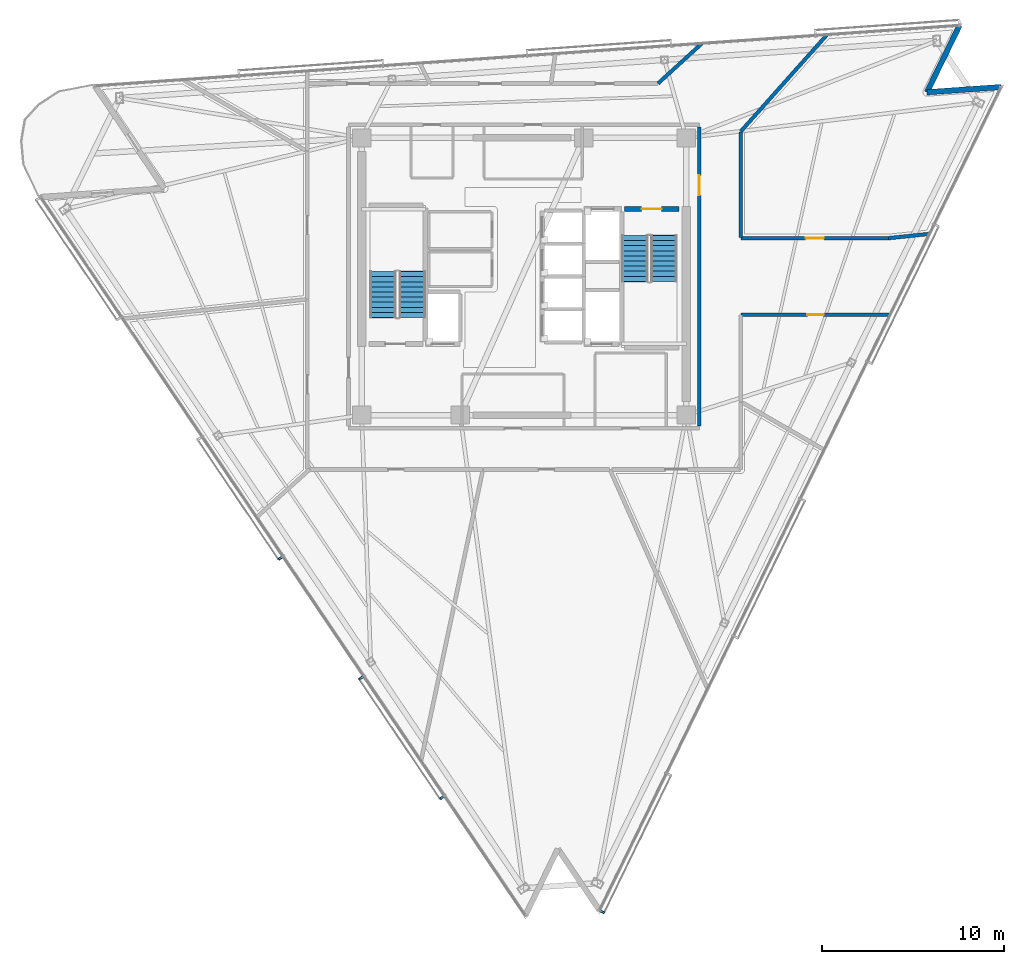
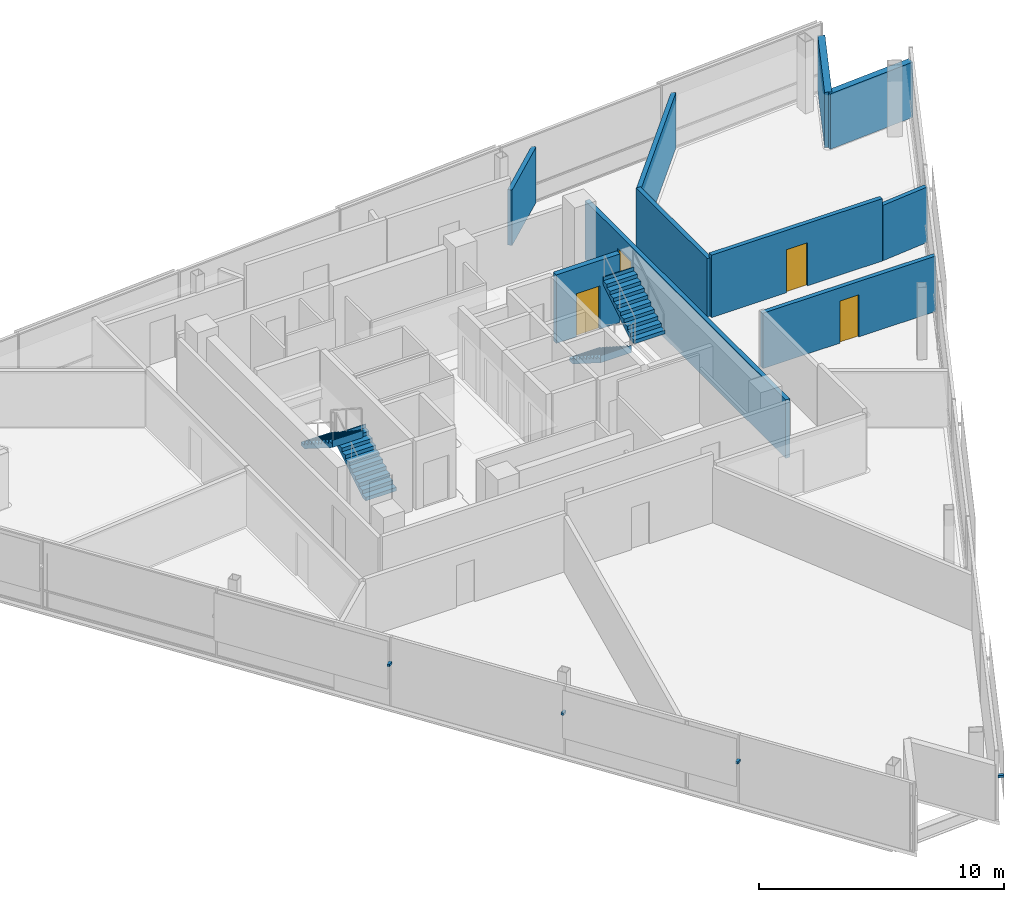
# One storey, part 11 of 16: 10 walls, 4 discrete accessories, 4 doors, 4 stair flights, 4 openings, 2 elements without a shape of their own.
"""IFC4 building model written with IfcOpenShell, lengths in metres."""

from ifc_helpers import new_model, si_unit, direction, frame, frame_2d, origin, origin_2d, place, context, subcontext, project, spatial, polyline, rectangle, outline, extrude, material, layer, layer_set, type_object, element, fill, aggregate, save


model = new_model("IFC4")

# Units and contexts
model_context = context("Model", 3, precision=1e-05, world=origin(), true_north=direction((0.0, 1.0)))
body_context = subcontext(model_context, "Body", "Model", "MODEL_VIEW")
ifc_project = project(units=[si_unit("LENGTHUNIT", "METRE"), si_unit("AREAUNIT", "SQUARE_METRE"), si_unit("VOLUMEUNIT", "CUBIC_METRE"), si_unit("PLANEANGLEUNIT", "RADIAN"), si_unit("MASSUNIT", "GRAM", prefix="KILO")], contexts=[model_context])

# Site, building, storey
site_placement = place(None, origin())
site = spatial("IfcSite", under=ifc_project, at=site_placement, CompositionType="ELEMENT")
building_placement = place(site_placement, origin())
building = spatial("IfcBuilding", under=site, at=building_placement, Name="Tharavind Bronze Gate", CompositionType="ELEMENT")
storey_placement = place(building_placement, frame((0.0, 0.0, 260.60009765625)))
storey = spatial("IfcBuildingStorey", under=building, at=storey_placement, Name="L67", CompositionType="ELEMENT", Elevation=260.60009765625)

# Walls
ifc_material_1 = material(Name="Concrete C40/50", Category="concrete")
ifc_layer_1 = layer(ifc_material_1, 0.300048828125)
ifc_layer_set_1 = layer_set([ifc_layer_1], Name="Concrete C40/50")
wall_type_1 = type_object("IfcWallType", Name="EXTERIOR SPANDREL WALL 300", PredefinedType="STANDARD", material=ifc_layer_set_1)
for number, where, z_axis, x_axis, name in (
    (1, (26.1552734375, 10.388427734375, 0.0), (0.0, 0.0, 1.0), (-0.997565400947, -0.06973715533, 0.0), "L67 notch cheek wall 3A"),
    (2, (22.09716796875, 10.104736328125, 0.0), (0.0, 0.0, 1.0), (0.438405895792, 0.898777097246, 0.0), "L67 notch cheek wall 3B"),
):
    element("IfcWall", number, at=place(storey_placement, frame(where, z_axis=z_axis, x_axis=x_axis)), inside=storey, type_object=wall_type_1, Name=name, PredefinedType="STANDARD", context=body_context, shape_type="SweptSolid", body=[
        extrude(rectangle(XDim=4.068115234375, YDim=0.300048828125, at=frame_2d((2.0341796875, 0.0))), origin(), (0.0, 0.0, 1.0), 2.764892578125),
    ])

# Wall, opening, door
ifc_material_2 = material(Name="Aerated Concrete Block", Category="concrete")
ifc_layer_2 = layer(ifc_material_2, 0.199951171875)
ifc_layer_set_2 = layer_set([ifc_layer_2], Name="Aerated Concrete Block")
wall_type_2 = type_object("IfcWallType", Name="FIRE RATED PARTITION 200", PredefinedType="PARTITIONING", material=ifc_layer_set_2)
wall_1_placement = place(storey_placement, frame((9.6201171875, -8.199951171875, 0.0), z_axis=(0.0, 0.0, 1.0), x_axis=(0.0, 1.0, 0.0)))
wall_1 = element("IfcWall", 3, at=wall_1_placement, inside=storey, type_object=wall_type_2, Name="L67 east core corridor wall", PredefinedType="PARTITIONING", context=body_context, shape_type="SweptSolid", body=[
    extrude(rectangle(XDim=16.39990234375, YDim=0.199951171875, at=frame_2d((8.199951171875, 0.0))), origin(), (0.0, 0.0, 1.0), 2.914794921875),
])
opening_1_placement = place(wall_1_placement, frame((12.64990234375, 0.0, 0.0)))
opening_1 = element("IfcOpeningElement", 4, at=opening_1_placement, cuts=wall_1, Name="Opening ID01", PredefinedType="OPENING", context=body_context, shape_type="SweptSolid", body=[
    extrude(rectangle(XDim=1.10009765625, YDim=2.14990234375, at=frame_2d((0.550048828125, 1.074951171875))), frame((0.0, 0.11009765625, 0.0), z_axis=(0.0, -1.0, 0.0), x_axis=(1.0, 0.0, 0.0)), (0.0, 0.0, 1.0), 0.219951171875),
])
ifc_material_3 = material(Name="Fire-Rated Steel", Category="steel")
door_type_1 = type_object("IfcDoorType", Name="STAIR CORE FIRE DOOR 1100X2150", OperationType="SINGLE_SWING_LEFT", PredefinedType="DOOR", material=ifc_material_3)
door_1_placement = place(opening_1_placement, frame((1.10009765625, 0.0, 0.0), z_axis=(0.0, 0.0, 1.0), x_axis=(-1.0, 0.0, 0.0)))
door_1 = element("IfcDoor", 5, at=door_1_placement, inside=storey, type_object=door_type_1, Name="L67 north east stair lobby fire door", OperationType="SINGLE_SWING_LEFT", OverallHeight=2.14990234375, OverallWidth=1.10009765625, PredefinedType="DOOR", context=body_context, shape_type="SweptSolid", body=[
    extrude(rectangle(XDim=1.10009765625, YDim=2.14990234375, at=frame_2d((0.550048828125, 1.074951171875))), frame((0.0, 0.02490234375, 0.0), z_axis=(0.0, -1.0, 0.0), x_axis=(1.0, 0.0, 0.0)), (0.0, 0.0, 1.0), 0.050048828125),
])
fill(opening_1, door_1)

# Wall
wall_2_placement = place(storey_placement, frame((22.214111328125, 2.334716796875, 0.0), z_axis=(0.0, 0.0, 1.0), x_axis=(-0.994523910136, -0.104509292252, 0.0)))
element("IfcWall", 6, at=wall_2_placement, inside=storey, type_object=wall_type_2, Name="L67 Chairman Corner Office partition", PredefinedType="PARTITIONING", context=body_context, shape_type="SweptSolid", body=[
    extrude(rectangle(XDim=2.244873046875, YDim=0.199951171875, at=frame_2d((1.12255859375, 0.0))), origin(), (0.0, 0.0, 1.0), 2.764892578125),
])

# Wall, opening, door
wall_3_placement = place(storey_placement, frame((19.97900390625, 2.10009765625, 0.0), z_axis=(0.0, 0.0, 1.0), x_axis=(-1.0, 0.0, 0.0)))
wall_3 = element("IfcWall", 7, at=wall_3_placement, inside=storey, type_object=wall_type_2, Name="L67 Chairman Corner Office partition", PredefinedType="PARTITIONING", context=body_context, shape_type="SweptSolid", body=[
    extrude(rectangle(XDim=8.073974609375, YDim=0.199951171875, at=frame_2d((4.037109375, 0.0))), origin(), (0.0, 0.0, 1.0), 3.114990234375),
])
opening_2_placement = place(wall_3_placement, frame((3.537109375, 0.0, 0.0)))
opening_2 = element("IfcOpeningElement", 8, at=opening_2_placement, cuts=wall_3, Name="Opening ID04", PredefinedType="OPENING", context=body_context, shape_type="SweptSolid", body=[
    extrude(rectangle(XDim=1.0, YDim=2.14990234375, at=frame_2d((0.5, 1.074951171875))), frame((0.0, 0.11009765625, 0.0), z_axis=(0.0, -1.0, 0.0), x_axis=(1.0, 0.0, 0.0)), (0.0, 0.0, 1.0), 0.219951171875),
])
ifc_material_4 = material(Name="Bronze Framed Acoustic Timber", Category="wood")
door_type_2 = type_object("IfcDoorType", Name="OFFICE TENANCY DOOR 1000X2150", OperationType="SINGLE_SWING_RIGHT", PredefinedType="DOOR", material=ifc_material_4)
door_2_placement = place(opening_2_placement, origin())
door_2 = element("IfcDoor", 9, at=door_2_placement, inside=storey, type_object=door_type_2, Name="L67 Chairman Corner Office door", OperationType="SINGLE_SWING_RIGHT", OverallHeight=2.14990234375, OverallWidth=1.0, PredefinedType="DOOR", context=body_context, shape_type="SweptSolid", body=[
    extrude(rectangle(XDim=1.0, YDim=2.14990234375, at=frame_2d((0.5, 1.074951171875))), frame((0.0, 0.02490234375, 0.0), z_axis=(0.0, -1.0, 0.0), x_axis=(1.0, 0.0, 0.0)), (0.0, 0.0, 1.0), 0.050048828125),
])
fill(opening_2, door_2)

# Walls
wall_4_placement = place(storey_placement, frame((11.8798828125, 2.125, 0.0), z_axis=(0.0, 0.0, 1.0), x_axis=(0.0, 1.0, 0.0)))
element("IfcWall", 10, at=wall_4_placement, inside=storey, type_object=wall_type_2, Name="L67 Chairman Corner Office partition", PredefinedType="PARTITIONING", context=body_context, shape_type="SweptSolid", body=[
    extrude(rectangle(XDim=5.811279296875, YDim=0.199951171875, at=frame_2d((2.90576171875, 0.0))), origin(), (0.0, 0.0, 1.0), 2.914794921875),
])
wall_5_placement = place(storey_placement, frame((11.88623046875, 7.952880859375, 0.0), z_axis=(0.0, 0.0, 1.0), x_axis=(0.66568987099, 0.746228514372, 0.0)))
element("IfcWall", 11, at=wall_5_placement, inside=storey, type_object=wall_type_2, Name="L67 Chairman Corner Office partition", PredefinedType="PARTITIONING", context=body_context, shape_type="SweptSolid", body=[
    extrude(rectangle(XDim=7.1025390625, YDim=0.199951171875, at=frame_2d((3.55126953125, 0.0))), origin(), (0.0, 0.0, 1.0), 2.764892578125),
])
wall_6_placement = place(storey_placement, frame((9.74853515625, 12.77294921875, 0.0), z_axis=(0.0, 0.0, 1.0), x_axis=(-0.739034043314, -0.673668080603, 0.0)))
element("IfcWall", 12, at=wall_6_placement, inside=storey, type_object=wall_type_2, Name="L67 CEO Executive Office partition", PredefinedType="PARTITIONING", context=body_context, shape_type="SweptSolid", body=[
    extrude(rectangle(XDim=3.24560546875, YDim=0.199951171875, at=frame_2d((1.622802734375, 0.0))), origin(), (0.0, 0.0, 1.0), 2.764892578125),
])

# Wall, opening, door
wall_7_placement = place(storey_placement, frame((11.905029296875, -2.10009765625, 0.0), z_axis=(0.0, 0.0, 1.0), x_axis=(1.0, 0.0, 0.0)))
wall_7 = element("IfcWall", 13, at=wall_7_placement, inside=storey, type_object=wall_type_2, Name="L67 Butler Pantry partition", PredefinedType="PARTITIONING", context=body_context, shape_type="SweptSolid", body=[
    extrude(rectangle(XDim=8.1591796875, YDim=0.199951171875, at=frame_2d((4.07958984375, 0.0))), origin(), (0.0, 0.0, 1.0), 2.764892578125),
])
opening_3_placement = place(wall_7_placement, frame((3.6298828125, 0.0, 0.0)))
opening_3 = element("IfcOpeningElement", 14, at=opening_3_placement, cuts=wall_7, Name="Opening ID07", PredefinedType="OPENING", context=body_context, shape_type="SweptSolid", body=[
    extrude(rectangle(XDim=0.89990234375, YDim=2.10009765625, at=frame_2d((0.449951171875, 1.050048828125))), frame((0.0, 0.11009765625, 0.0), z_axis=(0.0, -1.0, 0.0), x_axis=(1.0, 0.0, 0.0)), (0.0, 0.0, 1.0), 0.219951171875),
])
ifc_material_5 = material(Name="Galvanised Fire Steel", Category="steel")
door_type_3 = type_object("IfcDoorType", Name="PLANT AND RISER FIRE DOOR 900X2100", OperationType="SINGLE_SWING_LEFT", PredefinedType="DOOR", material=ifc_material_5)
door_3_placement = place(opening_3_placement, origin())
door_3 = element("IfcDoor", 15, at=door_3_placement, inside=storey, type_object=door_type_3, Name="L67 Butler Pantry door", OperationType="SINGLE_SWING_LEFT", OverallHeight=2.10009765625, OverallWidth=0.89990234375, PredefinedType="DOOR", context=body_context, shape_type="SweptSolid", body=[
    extrude(rectangle(XDim=0.89990234375, YDim=2.10009765625, at=frame_2d((0.449951171875, 1.050048828125))), frame((0.0, 0.02490234375, 0.0), z_axis=(0.0, -1.0, 0.0), x_axis=(1.0, 0.0, 0.0)), (0.0, 0.0, 1.0), 0.050048828125),
])
fill(opening_3, door_3)

ifc_material_6 = material(Name="Concrete C50/60", Category="concrete")
ifc_layer_3 = layer(ifc_material_6, 0.25)
ifc_layer_set_3 = layer_set([ifc_layer_3], Name="Concrete C50/60")
wall_type_3 = type_object("IfcWallType", Name="RC CORE SHEAR WALL 250", PredefinedType="SHEAR", material=ifc_layer_set_3)
wall_8_placement = place(storey_placement, frame((5.5, 3.699951171875, 0.0), z_axis=(0.0, 0.0, 1.0), x_axis=(1.0, 0.0, 0.0)))
wall_8 = element("IfcWall", 16, at=wall_8_placement, inside=storey, type_object=wall_type_3, Name="L67 ST2 shaft north wall", PredefinedType="SHEAR", context=body_context, shape_type="SweptSolid", body=[
    extrude(rectangle(XDim=3.0, YDim=0.25, at=frame_2d((1.5, 0.0))), origin(), (0.0, 0.0, 1.0), 3.419921875),
])
opening_4_placement = place(wall_8_placement, frame((0.949951171875, 0.0, 0.0)))
opening_4 = element("IfcOpeningElement", 17, at=opening_4_placement, cuts=wall_8, Name="Opening ID01", PredefinedType="OPENING", context=body_context, shape_type="SweptSolid", body=[
    extrude(rectangle(XDim=1.10009765625, YDim=2.14990234375, at=frame_2d((0.550048828125, 1.074951171875))), frame((0.0, 0.135, 0.0), z_axis=(0.0, -1.0, 0.0), x_axis=(1.0, 0.0, 0.0)), (0.0, 0.0, 1.0), 0.27),
])
door_4_placement = place(opening_4_placement, frame((1.10009765625, 0.0, 0.0), z_axis=(0.0, 0.0, 1.0), x_axis=(-1.0, 0.0, 0.0)))
door_4 = element("IfcDoor", 18, at=door_4_placement, inside=storey, type_object=door_type_1, Name="L67 exit stair ST2 fire door", OperationType="SINGLE_SWING_LEFT", OverallHeight=2.14990234375, OverallWidth=1.10009765625, PredefinedType="DOOR", context=body_context, shape_type="SweptSolid", body=[
    extrude(rectangle(XDim=1.10009765625, YDim=2.14990234375, at=frame_2d((0.550048828125, 1.074951171875))), frame((0.0, 0.02490234375, 0.0), z_axis=(0.0, -1.0, 0.0), x_axis=(1.0, 0.0, 0.0)), (0.0, 0.0, 1.0), 0.050048828125),
])
fill(opening_4, door_4)

# Stair, stair flights
stair_type = type_object("IfcStairType", Name="CORE HALF TURN STAIR 1450", PredefinedType="HALF_TURN_STAIR", material=ifc_material_1)
stair_1_placement = place(storey_placement, origin())
stair_1 = element("IfcStair", 19, at=stair_1_placement, inside=storey, type_object=stair_type, Name="L67 Protected Exit Stair ST1", PredefinedType="HALF_TURN_STAIR")
stair_flight_type = type_object("IfcStairFlightType", Name="CORE STAIR FLIGHT 1450", PredefinedType="STRAIGHT", material=ifc_material_1)
stair_flight_1_placement = place(storey_placement, frame((-6.125, -2.25, 0.0), z_axis=(0.0, 0.0, 1.0), x_axis=(0.0, 1.0, 0.0)))
stair_flight_1 = element("IfcStairFlight", 20, at=stair_flight_1_placement, type_object=stair_flight_type, Name="ST1 flight 1", NumberOfRisers=10, NumberOfTreads=9, PredefinedType="STRAIGHT", RiserHeight=0.18, TreadLength=0.28, context=body_context, shape_type="SweptSolid", body=[
    extrude(outline(polyline([(0.0, 0.0), (0.0, 0.179931640625), (0.280029296875, 0.179931640625), (0.280029296875, 0.360107421875), (0.56005859375, 0.360107421875), (0.56005859375, 0.5400390625), (0.840087890625, 0.5400390625), (0.840087890625, 0.719970703125), (1.1201171875, 0.719970703125), (1.1201171875, 0.89990234375), (1.39990234375, 0.89990234375), (1.39990234375, 1.080078125), (1.679931640625, 1.080078125), (1.679931640625, 1.260009765625), (1.9599609375, 1.260009765625), (1.9599609375, 1.43994140625), (2.239990234375, 1.43994140625), (2.239990234375, 1.6201171875), (2.52001953125, 1.6201171875), (2.52001953125, 1.800048828125), (2.555908203125, 1.800048828125), (2.555908203125, 1.44189453125), (0.277099609375, 0.0), (0.0, 0.0)])), frame((0.0, 0.72509765625, 0.0), z_axis=(0.0, -1.0, 0.0), x_axis=(1.0, 0.0, 0.0)), (0.0, 0.0, 1.0), 1.449951171875),
])
stair_flight_2_placement = place(storey_placement, frame((-7.72509765625, 0.27001953125, 1.7998046875), z_axis=(0.0, 0.0, 1.0), x_axis=(0.0, -1.0, 0.0)))
stair_flight_2 = element("IfcStairFlight", 21, at=stair_flight_2_placement, type_object=stair_flight_type, Name="ST1 flight 2", NumberOfRisers=10, NumberOfTreads=9, PredefinedType="STRAIGHT", RiserHeight=0.18, TreadLength=0.28, context=body_context, shape_type="SweptSolid", body=[
    extrude(outline(polyline([(0.0, 0.0), (0.0, 0.179931640625), (0.280029296875, 0.179931640625), (0.280029296875, 0.360107421875), (0.56005859375, 0.360107421875), (0.56005859375, 0.5400390625), (0.840087890625, 0.5400390625), (0.840087890625, 0.719970703125), (1.1201171875, 0.719970703125), (1.1201171875, 0.89990234375), (1.39990234375, 0.89990234375), (1.39990234375, 1.080078125), (1.679931640625, 1.080078125), (1.679931640625, 1.260009765625), (1.9599609375, 1.260009765625), (1.9599609375, 1.43994140625), (2.239990234375, 1.43994140625), (2.239990234375, 1.6201171875), (2.52001953125, 1.6201171875), (2.52001953125, 1.800048828125), (2.555908203125, 1.800048828125), (2.555908203125, 1.44189453125), (0.277099609375, 0.0), (0.0, 0.0)])), frame((0.0, 0.72509765625, 0.0), z_axis=(0.0, -1.0, 0.0), x_axis=(1.0, 0.0, 0.0)), (0.0, 0.0, 1.0), 1.449951171875),
])
aggregate(stair_1, [stair_flight_1, stair_flight_2])

stair_2_placement = place(storey_placement, origin())
stair_2 = element("IfcStair", 22, at=stair_2_placement, inside=storey, type_object=stair_type, Name="L67 Protected Exit Stair ST2", PredefinedType="HALF_TURN_STAIR")
stair_flight_3_placement = place(storey_placement, frame((6.074951171875, 2.25, 0.0), z_axis=(0.0, 0.0, 1.0), x_axis=(0.0, -1.0, 0.0)))
stair_flight_3 = element("IfcStairFlight", 23, at=stair_flight_3_placement, type_object=stair_flight_type, Name="ST2 flight 1", NumberOfRisers=10, NumberOfTreads=9, PredefinedType="STRAIGHT", RiserHeight=0.18, TreadLength=0.28, context=body_context, shape_type="SweptSolid", body=[
    extrude(outline(polyline([(0.0, 0.0), (0.0, 0.179931640625), (0.280029296875, 0.179931640625), (0.280029296875, 0.360107421875), (0.56005859375, 0.360107421875), (0.56005859375, 0.5400390625), (0.840087890625, 0.5400390625), (0.840087890625, 0.719970703125), (1.1201171875, 0.719970703125), (1.1201171875, 0.89990234375), (1.39990234375, 0.89990234375), (1.39990234375, 1.080078125), (1.679931640625, 1.080078125), (1.679931640625, 1.260009765625), (1.9599609375, 1.260009765625), (1.9599609375, 1.43994140625), (2.239990234375, 1.43994140625), (2.239990234375, 1.6201171875), (2.52001953125, 1.6201171875), (2.52001953125, 1.800048828125), (2.555908203125, 1.800048828125), (2.555908203125, 1.44189453125), (0.277099609375, 0.0), (0.0, 0.0)])), frame((0.0, 0.72509765625, 0.0), z_axis=(0.0, -1.0, 0.0), x_axis=(1.0, 0.0, 0.0)), (0.0, 0.0, 1.0), 1.449951171875),
])
stair_flight_4_placement = place(storey_placement, frame((7.675048828125, -0.27001953125, 1.7998046875), z_axis=(0.0, 0.0, 1.0), x_axis=(0.0, 1.0, 0.0)))
stair_flight_4 = element("IfcStairFlight", 24, at=stair_flight_4_placement, type_object=stair_flight_type, Name="ST2 flight 2", NumberOfRisers=10, NumberOfTreads=9, PredefinedType="STRAIGHT", RiserHeight=0.18, TreadLength=0.28, context=body_context, shape_type="SweptSolid", body=[
    extrude(outline(polyline([(0.0, 0.0), (0.0, 0.179931640625), (0.280029296875, 0.179931640625), (0.280029296875, 0.360107421875), (0.56005859375, 0.360107421875), (0.56005859375, 0.5400390625), (0.840087890625, 0.5400390625), (0.840087890625, 0.719970703125), (1.1201171875, 0.719970703125), (1.1201171875, 0.89990234375), (1.39990234375, 0.89990234375), (1.39990234375, 1.080078125), (1.679931640625, 1.080078125), (1.679931640625, 1.260009765625), (1.9599609375, 1.260009765625), (1.9599609375, 1.43994140625), (2.239990234375, 1.43994140625), (2.239990234375, 1.6201171875), (2.52001953125, 1.6201171875), (2.52001953125, 1.800048828125), (2.555908203125, 1.800048828125), (2.555908203125, 1.44189453125), (0.277099609375, 0.0), (0.0, 0.0)])), frame((0.0, 0.72509765625, 0.0), z_axis=(0.0, -1.0, 0.0), x_axis=(1.0, 0.0, 0.0)), (0.0, 0.0, 1.0), 1.449951171875),
])
aggregate(stair_2, [stair_flight_3, stair_flight_4])

# Discrete accessories
ifc_material_7 = material(Name="Stainless Steel 316", Category="steel")
discrete_accessory_type = type_object("IfcDiscreteAccessoryType", Name="SOLAR SCREEN STANDOFF BRACKET", PredefinedType="BRACKET", material=ifc_material_7)
for number, where, z_axis, x_axis, name in (
    (25, (-13.3603515625, -15.447265625, 2.099853515625), (0.0, 0.0, 1.0), (0.559191456526, -0.82903854853, 0.0), "CW-L67-S1 solar screen bracket 3.2"),
    (26, (-8.931396484375, -22.013427734375, 2.099853515625), (0.0, 0.0, 1.0), (0.559191456526, -0.82903854853, 0.0), "CW-L67-S1 solar screen bracket 5.1"),
    (27, (-4.502197265625, -28.579833984375, 2.099853515625), (0.0, 0.0, 1.0), (0.559191456526, -0.82903854853, 0.0), "CW-L67-S1 solar screen bracket 5.2"),
    (28, (4.2958984375, -34.840576171875, 2.099853515625), (0.0, 0.0, 1.0), (0.43837271548, 0.898793281196, 0.0), "CW-L67-S2 solar screen bracket 1.1"),
):
    element("IfcDiscreteAccessory", number, at=place(storey_placement, frame(where, z_axis=z_axis, x_axis=x_axis)), inside=storey, type_object=discrete_accessory_type, Name=name, PredefinedType="BRACKET", context=body_context, shape_type="SweptSolid", body=[
        extrude(rectangle(XDim=0.1201171875, YDim=0.239990234375, at=origin_2d()), origin(), (0.0, 0.0, 1.0), 0.1201171875),
    ])

save(model, "model.ifc")
